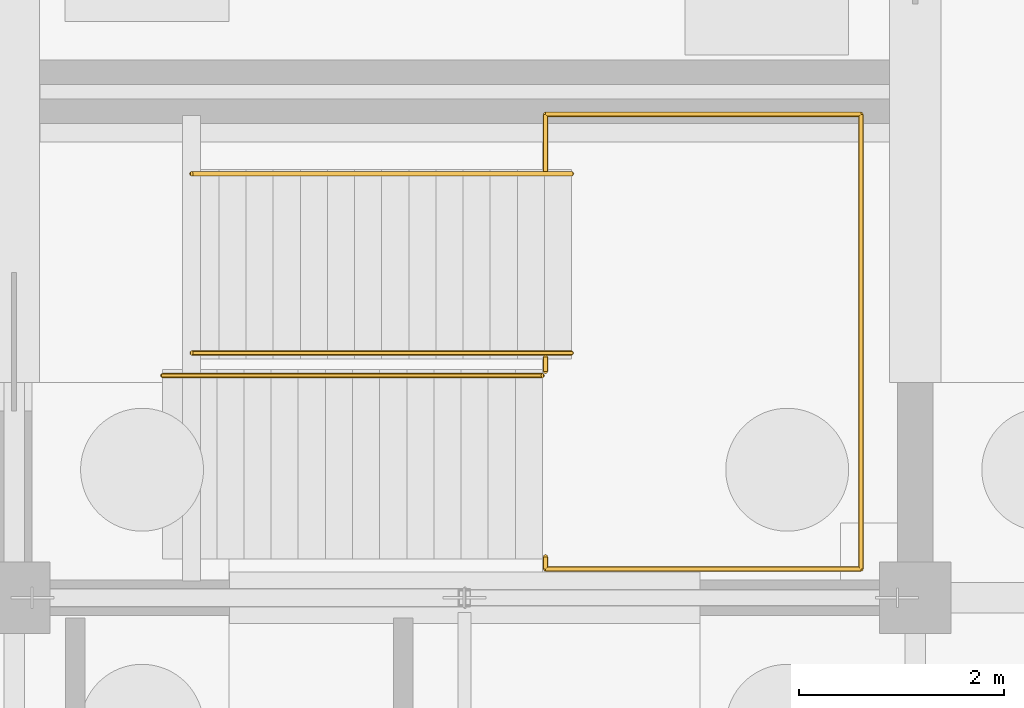
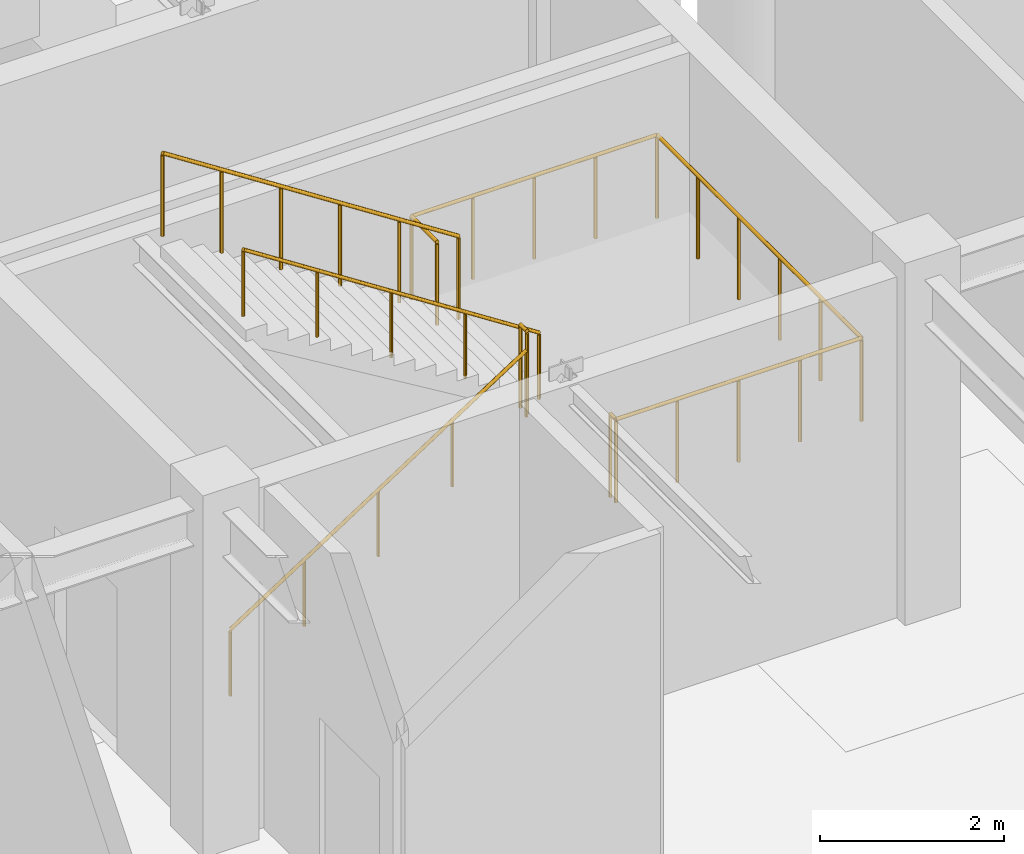
# One storey, part 70 of 72: 5 railings.
"""IFC4 building model written with IfcOpenShell, lengths in metres."""

from ifc_helpers import new_model, si_unit, direction, frame, origin, origin_2d, place, context, subcontext, project, spatial, circle, extrude, material, type_object, element, save


model = new_model("IFC4")

# Units and contexts
model_context = context("Model", 3, precision=1e-05, world=origin(), true_north=direction((0.0, 1.0)))
body_context = subcontext(model_context, "Body", "Model", "MODEL_VIEW")
ifc_project = project(units=[si_unit("LENGTHUNIT", "METRE"), si_unit("AREAUNIT", "SQUARE_METRE"), si_unit("VOLUMEUNIT", "CUBIC_METRE"), si_unit("PLANEANGLEUNIT", "RADIAN"), si_unit("MASSUNIT", "GRAM", prefix="KILO")], contexts=[model_context])

# Site, building, storey
site_placement = place(None, origin())
site = spatial("IfcSite", under=ifc_project, at=site_placement, CompositionType="ELEMENT")
building_placement = place(site_placement, origin())
building = spatial("IfcBuilding", under=site, at=building_placement, Name="Zhaolan Boulevard Law Courts", CompositionType="ELEMENT")
storey_placement = place(building_placement, frame((0.0, 0.0, -4.800048828125)))
storey = spatial("IfcBuildingStorey", under=building, at=storey_placement, Name="B1", CompositionType="ELEMENT", Elevation=-4.800048828125)

# Railings
ifc_material_1 = material(Name="Brushed stainless steel tubular handrail", Category="steel")
railing_type_1 = type_object("IfcRailingType", Name="STAIR HANDRAIL 900", PredefinedType="HANDRAIL", material=ifc_material_1)
railing_1_placement = place(storey_placement, frame((19.050048828125, 64.169921875, 0.0)))
element("IfcRailing", 1, at=railing_1_placement, inside=storey, type_object=railing_type_1, Name="Stair Handrail HR-ST02-B1-1", PredefinedType="HANDRAIL", context=body_context, shape_type="SweptSolid", body=[
    extrude(circle(Radius=0.0224609375, at=origin_2d()), frame((0.0, 0.0, 0.87744140625), z_axis=(0.839613143467, 0.0, 0.543184838999), x_axis=(0.0, 1.0, 0.0)), (0.0, 0.0, 1.0), 4.418701171875),
    extrude(circle(Radius=0.01904296875, at=origin_2d()), origin(), (0.0, 0.0, 1.0), 0.85498046875),
    extrude(circle(Radius=0.01904296875, at=origin_2d()), frame((0.927490234375, 0.0, 0.60009765625)), (0.0, 0.0, 1.0), 0.85498046875),
    extrude(circle(Radius=0.01904296875, at=origin_2d()), frame((1.85498046875, 0.0, 1.2001953125)), (0.0, 0.0, 1.0), 0.85498046875),
    extrude(circle(Radius=0.01904296875, at=origin_2d()), frame((2.782470703125, 0.0, 1.800048828125)), (0.0, 0.0, 1.0), 0.85498046875),
    extrude(circle(Radius=0.01904296875, at=origin_2d()), frame((3.7099609375, 0.0, 2.400146484375)), (0.0, 0.0, 1.0), 0.85498046875),
])
railing_2_placement = place(storey_placement, frame((23.044921875, 64.389892578125, 2.400146484375)))
element("IfcRailing", 2, at=railing_2_placement, inside=storey, type_object=railing_type_1, Name="Stair Handrail HR-ST02-B1-2", PredefinedType="HANDRAIL", context=body_context, shape_type="SweptSolid", body=[
    extrude(circle(Radius=0.0224609375, at=origin_2d()), frame((0.0, 0.0, 0.87744140625), z_axis=(-0.839638341943, 0.0, 0.543145887161), x_axis=(0.0, -1.0, 0.0)), (0.0, 0.0, 1.0), 4.41845703125),
    extrude(circle(Radius=0.01904296875, at=origin_2d()), origin(), (0.0, 0.0, 1.0), 0.85498046875),
    extrude(circle(Radius=0.01904296875, at=origin_2d()), frame((-0.927490234375, 0.0, 0.60009765625)), (0.0, 0.0, 1.0), 0.85498046875),
    extrude(circle(Radius=0.01904296875, at=origin_2d()), frame((-1.85498046875, 0.0, 1.199951171875)), (0.0, 0.0, 1.0), 0.85498046875),
    extrude(circle(Radius=0.01904296875, at=origin_2d()), frame((-2.782470703125, 0.0, 1.7998046875)), (0.0, 0.0, 1.0), 0.85498046875),
    extrude(circle(Radius=0.01904296875, at=origin_2d()), frame((-3.7099609375, 0.0, 2.39990234375)), (0.0, 0.0, 1.0), 0.85498046875),
])
ifc_material_2 = material(Name="Powder-coated steel baluster guardrail", Category="steel")
railing_type_2 = type_object("IfcRailingType", Name="STAIR WELL GUARDRAIL 1120", PredefinedType="GUARDRAIL", material=ifc_material_2)
railing_3_placement = place(storey_placement, frame((22.7900390625, 62.39990234375, 2.400146484375)))
element("IfcRailing", 3, at=railing_3_placement, inside=storey, type_object=railing_type_2, Name="Half-Landing Guardrail SG-ST02-B1-M", PredefinedType="GUARDRAIL", context=body_context, shape_type="SweptSolid", body=[
    extrude(circle(Radius=0.02392578125, at=origin_2d()), frame((0.0, 0.0, 1.09619140625), z_axis=(0.0, -1.0, 0.0), x_axis=(1.0, 0.0, 0.0)), (0.0, 0.0, 1.0), 0.119873046875),
    extrude(circle(Radius=0.02392578125, at=origin_2d()), frame((0.0, -0.119873046875, 1.09619140625), z_axis=(1.0, 0.0, 0.0), x_axis=(0.0, 1.0, 0.0)), (0.0, 0.0, 1.0), 3.080078125),
    extrude(circle(Radius=0.02392578125, at=origin_2d()), frame((3.080078125, -0.119873046875, 1.09619140625), z_axis=(0.0, 1.0, 0.0), x_axis=(-1.0, 0.0, 0.0)), (0.0, 0.0, 1.0), 4.43994140625),
    extrude(circle(Radius=0.02392578125, at=origin_2d()), frame((3.080078125, 4.320068359375, 1.09619140625), z_axis=(-1.0, 0.0, 0.0), x_axis=(0.0, -1.0, 0.0)), (0.0, 0.0, 1.0), 3.080078125),
    extrude(circle(Radius=0.02392578125, at=origin_2d()), frame((0.0, 4.320068359375, 1.09619140625), z_axis=(0.0, -1.0, 0.0), x_axis=(1.0, 0.0, 0.0)), (0.0, 0.0, 1.0), 0.56005859375),
    extrude(circle(Radius=0.02099609375, at=origin_2d()), origin(), (0.0, 0.0, 1.0), 1.072021484375),
    extrude(circle(Radius=0.02099609375, at=origin_2d()), frame((0.0, -0.119873046875, 0.0)), (0.0, 0.0, 1.0), 1.072021484375),
    extrude(circle(Radius=0.02099609375, at=origin_2d()), frame((0.77001953125, -0.119873046875, 0.0)), (0.0, 0.0, 1.0), 1.072021484375),
    extrude(circle(Radius=0.02099609375, at=origin_2d()), frame((1.5400390625, -0.119873046875, 0.0)), (0.0, 0.0, 1.0), 1.072021484375),
    extrude(circle(Radius=0.02099609375, at=origin_2d()), frame((2.31005859375, -0.119873046875, 0.0)), (0.0, 0.0, 1.0), 1.072021484375),
    extrude(circle(Radius=0.02099609375, at=origin_2d()), frame((3.080078125, -0.119873046875, 0.0)), (0.0, 0.0, 1.0), 1.072021484375),
    extrude(circle(Radius=0.02099609375, at=origin_2d()), frame((3.080078125, 0.76806640625, 0.0)), (0.0, 0.0, 1.0), 1.072021484375),
    extrude(circle(Radius=0.02099609375, at=origin_2d()), frame((3.080078125, 1.656005859375, 0.0)), (0.0, 0.0, 1.0), 1.072021484375),
    extrude(circle(Radius=0.02099609375, at=origin_2d()), frame((3.080078125, 2.544189453125, 0.0)), (0.0, 0.0, 1.0), 1.072021484375),
    extrude(circle(Radius=0.02099609375, at=origin_2d()), frame((3.080078125, 3.43212890625, 0.0)), (0.0, 0.0, 1.0), 1.072021484375),
    extrude(circle(Radius=0.02099609375, at=origin_2d()), frame((3.080078125, 4.320068359375, 0.0)), (0.0, 0.0, 1.0), 1.072021484375),
    extrude(circle(Radius=0.02099609375, at=origin_2d()), frame((2.31005859375, 4.320068359375, 0.0)), (0.0, 0.0, 1.0), 1.072021484375),
    extrude(circle(Radius=0.02099609375, at=origin_2d()), frame((1.5400390625, 4.320068359375, 0.0)), (0.0, 0.0, 1.0), 1.072021484375),
    extrude(circle(Radius=0.02099609375, at=origin_2d()), frame((0.77001953125, 4.320068359375, 0.0)), (0.0, 0.0, 1.0), 1.072021484375),
    extrude(circle(Radius=0.02099609375, at=origin_2d()), frame((0.0, 4.320068359375, 0.0)), (0.0, 0.0, 1.0), 1.072021484375),
    extrude(circle(Radius=0.02099609375, at=origin_2d()), frame((0.0, 3.760009765625, 0.0)), (0.0, 0.0, 1.0), 1.072021484375),
])
railing_4_placement = place(storey_placement, frame((22.7900390625, 64.2099609375, 2.400146484375)))
element("IfcRailing", 4, at=railing_4_placement, inside=storey, type_object=railing_type_2, Name="Half-Landing Well Guardrail SG-ST02-B1-W", PredefinedType="GUARDRAIL", context=body_context, shape_type="SweptSolid", body=[
    extrude(circle(Radius=0.02392578125, at=origin_2d()), frame((0.0, 0.0, 1.09619140625), z_axis=(0.0, 1.0, 0.0), x_axis=(-1.0, 0.0, 0.0)), (0.0, 0.0, 1.0), 0.14013671875),
    extrude(circle(Radius=0.02099609375, at=origin_2d()), origin(), (0.0, 0.0, 1.0), 1.072021484375),
    extrude(circle(Radius=0.02099609375, at=origin_2d()), frame((0.0, 0.14013671875, 0.0)), (0.0, 0.0, 1.0), 1.072021484375),
])
railing_5_placement = place(storey_placement, frame((23.044921875, 66.139892578125, 2.400146484375)))
element("IfcRailing", 5, at=railing_5_placement, inside=storey, type_object=railing_type_2, Name="Flight Guardrail SG-ST02-B1-F2", PredefinedType="GUARDRAIL", context=body_context, shape_type="SweptSolid", body=[
    extrude(circle(Radius=0.02392578125, at=origin_2d()), frame((0.0, 0.0, 1.09619140625), z_axis=(-0.839638341943, 0.0, 0.543145887161), x_axis=(0.0, -1.0, 0.0)), (0.0, 0.0, 1.0), 4.41845703125),
    extrude(circle(Radius=0.02099609375, at=origin_2d()), origin(), (0.0, 0.0, 1.0), 1.072021484375),
    extrude(circle(Radius=0.02099609375, at=origin_2d()), frame((-0.741943359375, 0.0, 0.47998046875)), (0.0, 0.0, 1.0), 1.072021484375),
    extrude(circle(Radius=0.02099609375, at=origin_2d()), frame((-1.48388671875, 0.0, 0.9599609375)), (0.0, 0.0, 1.0), 1.072021484375),
    extrude(circle(Radius=0.02099609375, at=origin_2d()), frame((-2.22607421875, 0.0, 1.43994140625)), (0.0, 0.0, 1.0), 1.072021484375),
    extrude(circle(Radius=0.02099609375, at=origin_2d()), frame((-2.968017578125, 0.0, 1.919921875)), (0.0, 0.0, 1.0), 1.072021484375),
    extrude(circle(Radius=0.02099609375, at=origin_2d()), frame((-3.7099609375, 0.0, 2.39990234375)), (0.0, 0.0, 1.0), 1.072021484375),
])

save(model, "model.ifc")
